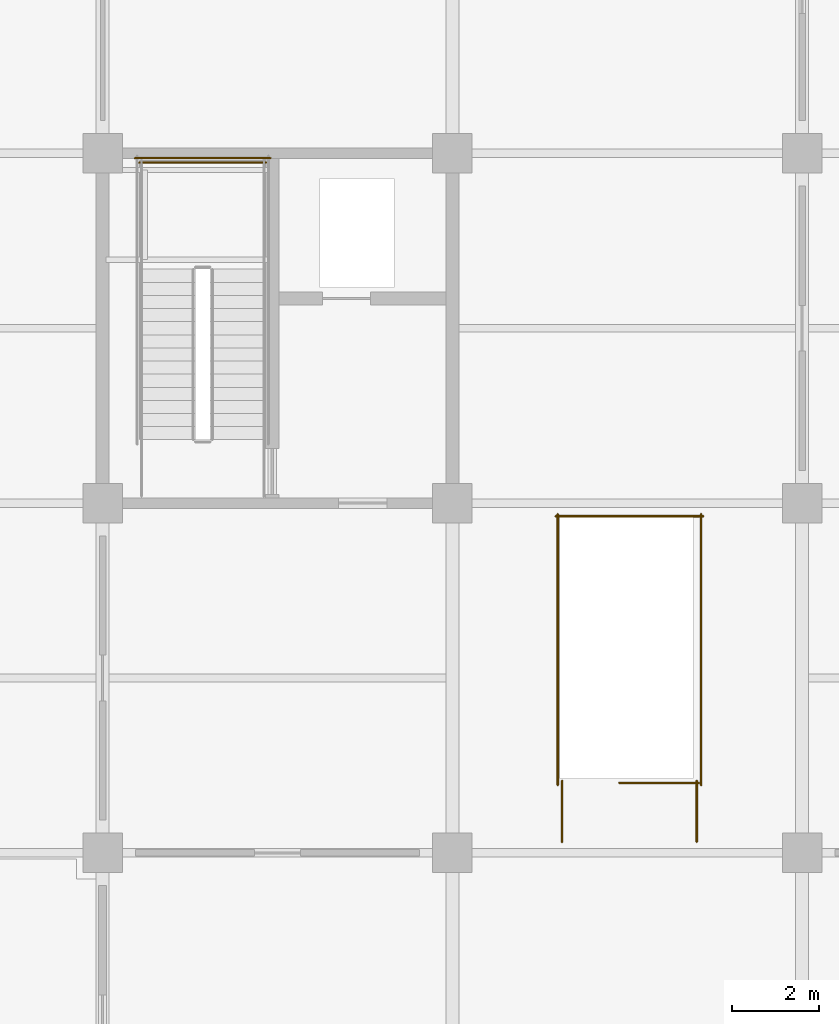
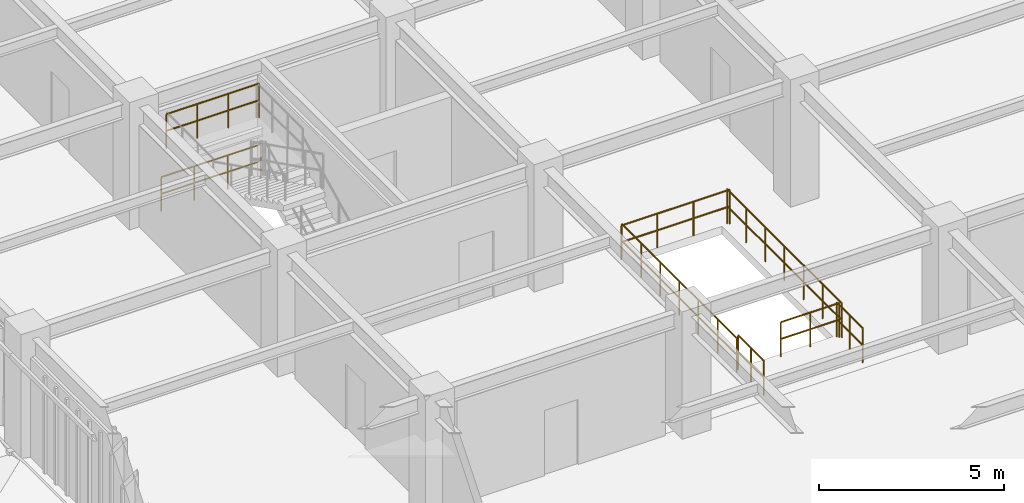
# One storey, part 110 of 118: 8 railings.
"""IFC4 building model written with IfcOpenShell, lengths in metres."""

from ifc_helpers import new_model, si_unit, direction, frame, origin, origin_2d, place, context, subcontext, project, spatial, circle, extrude, material, type_object, element, save


model = new_model("IFC4")

# Units and contexts
model_context = context("Model", 3, precision=1e-05, world=origin(), true_north=direction((0.0, 1.0)))
body_context = subcontext(model_context, "Body", "Model", "MODEL_VIEW")
ifc_project = project(units=[si_unit("LENGTHUNIT", "METRE"), si_unit("AREAUNIT", "SQUARE_METRE"), si_unit("VOLUMEUNIT", "CUBIC_METRE"), si_unit("PLANEANGLEUNIT", "RADIAN"), si_unit("MASSUNIT", "GRAM", prefix="KILO")], contexts=[model_context])

# Site, building, storey
site_placement = place(None, origin())
site = spatial("IfcSite", under=ifc_project, at=site_placement, CompositionType="ELEMENT")
building_placement = place(site_placement, origin())
building = spatial("IfcBuilding", under=site, at=building_placement, Name="Haebicheon Civic Stadium", CompositionType="ELEMENT")
storey_placement = place(building_placement, frame((0.0, 0.0, 14.39990234375)))
storey = spatial("IfcBuildingStorey", under=building, at=storey_placement, Name="L04", CompositionType="ELEMENT", Elevation=14.39990234375)

# Railings
ifc_material = material(Name="Galvanised painted steel SM355", Category="steel")
railing_type = type_object("IfcRailingType", Name="RL-GRD-1150", PredefinedType="GUARDRAIL", material=ifc_material)
railing_1_placement = place(storey_placement, frame((35.739990234375, 111.7900390625, 2.10009765625)))
element("IfcRailing", 1, at=railing_1_placement, inside=storey, type_object=railing_type, material=ifc_material, Name="L04 ST-04 stair guard 5", PredefinedType="GUARDRAIL", context=body_context, shape_type="SweptSolid", body=[
    extrude(circle(Radius=0.02392578125, at=origin_2d()), frame((0.0, 0.0, 1.1259765625), z_axis=(-1.0, 0.0, 0.0), x_axis=(0.0, -1.0, 0.0)), (0.0, 0.0, 1.0), 2.89990234375),
    extrude(circle(Radius=0.02392578125, at=origin_2d()), frame((0.0, 0.0, 0.574951171875), z_axis=(-1.0, 0.0, 0.0), x_axis=(0.0, -1.0, 0.0)), (0.0, 0.0, 1.0), 2.89990234375),
    extrude(circle(Radius=0.02099609375, at=origin_2d()), origin(), (0.0, 0.0, 1.0), 1.101806640625),
    extrude(circle(Radius=0.02099609375, at=origin_2d()), frame((-0.966552734375, 0.0, 0.0)), (0.0, 0.0, 1.0), 1.101806640625),
    extrude(circle(Radius=0.02099609375, at=origin_2d()), frame((-1.933349609375, 0.0, 0.0)), (0.0, 0.0, 1.0), 1.101806640625),
    extrude(circle(Radius=0.02099609375, at=origin_2d()), frame((-2.89990234375, 0.0, 0.0)), (0.0, 0.0, 1.0), 1.101806640625),
])
railing_2_placement = place(storey_placement, frame((35.840087890625, 111.889892578125, 0.0)))
element("IfcRailing", 2, at=railing_2_placement, inside=storey, type_object=railing_type, material=ifc_material, Name="L04 ST-04 stair guard 12", PredefinedType="GUARDRAIL", context=body_context, shape_type="SweptSolid", body=[
    extrude(circle(Radius=0.02392578125, at=origin_2d()), frame((0.0, 0.0, 1.1259765625), z_axis=(-1.0, 0.0, 0.0), x_axis=(0.0, -1.0, 0.0)), (0.0, 0.0, 1.0), 3.10009765625),
    extrude(circle(Radius=0.02392578125, at=origin_2d()), frame((0.0, 0.0, 0.574951171875), z_axis=(-1.0, 0.0, 0.0), x_axis=(0.0, -1.0, 0.0)), (0.0, 0.0, 1.0), 3.10009765625),
    extrude(circle(Radius=0.02099609375, at=origin_2d()), origin(), (0.0, 0.0, 1.0), 1.101806640625),
    extrude(circle(Radius=0.02099609375, at=origin_2d()), frame((-1.033447265625, 0.0, 0.0)), (0.0, 0.0, 1.0), 1.101806640625),
    extrude(circle(Radius=0.02099609375, at=origin_2d()), frame((-2.066650390625, 0.0, 0.0)), (0.0, 0.0, 1.0), 1.101806640625),
    extrude(circle(Radius=0.02099609375, at=origin_2d()), frame((-3.10009765625, 0.0, 0.0)), (0.0, 0.0, 1.0), 1.101806640625),
])
railing_3_placement = place(storey_placement, frame((45.639892578125, 97.60009765625, 0.0)))
element("IfcRailing", 3, at=railing_3_placement, inside=storey, type_object=railing_type, material=ifc_material, Name="L04 VM-05 top well guard 1", PredefinedType="GUARDRAIL", context=body_context, shape_type="SweptSolid", body=[
    extrude(circle(Radius=0.02392578125, at=origin_2d()), frame((0.0, 0.0, 1.1259765625), z_axis=(-1.0, 0.0, 0.0), x_axis=(0.0, -1.0, 0.0)), (0.0, 0.0, 1.0), 1.81982421875),
    extrude(circle(Radius=0.02392578125, at=origin_2d()), frame((0.0, 0.0, 0.574951171875), z_axis=(-1.0, 0.0, 0.0), x_axis=(0.0, -1.0, 0.0)), (0.0, 0.0, 1.0), 1.81982421875),
    extrude(circle(Radius=0.02099609375, at=origin_2d()), origin(), (0.0, 0.0, 1.0), 1.101806640625),
    extrude(circle(Radius=0.02099609375, at=origin_2d()), frame((-0.909912109375, 0.0, 0.0)), (0.0, 0.0, 1.0), 1.101806640625),
    extrude(circle(Radius=0.02099609375, at=origin_2d()), frame((-1.81982421875, 0.0, 0.0)), (0.0, 0.0, 1.0), 1.101806640625),
])
for number, where, name in (
    (4, (45.68994140625, 97.550048828125, 0.0), "L04 VM-05 top well guard 2"),
    (5, (42.409912109375, 97.550048828125, 0.0), "L04 VM-05 top well guard 3"),
):
    element("IfcRailing", number, at=place(storey_placement, frame(where)), inside=storey, type_object=railing_type, material=ifc_material, Name=name, PredefinedType="GUARDRAIL", context=body_context, shape_type="SweptSolid", body=[
        extrude(circle(Radius=0.02392578125, at=origin_2d()), frame((0.0, 0.0, 1.1259765625), z_axis=(0.0, 1.0, 0.0), x_axis=(-1.0, 0.0, 0.0)), (0.0, 0.0, 1.0), 6.199951171875),
        extrude(circle(Radius=0.02392578125, at=origin_2d()), frame((0.0, 0.0, 0.574951171875), z_axis=(0.0, 1.0, 0.0), x_axis=(-1.0, 0.0, 0.0)), (0.0, 0.0, 1.0), 6.199951171875),
        extrude(circle(Radius=0.02099609375, at=origin_2d()), origin(), (0.0, 0.0, 1.0), 1.101806640625),
        extrude(circle(Radius=0.02099609375, at=origin_2d()), frame((0.0, 1.033203125, 0.0)), (0.0, 0.0, 1.0), 1.101806640625),
        extrude(circle(Radius=0.02099609375, at=origin_2d()), frame((0.0, 2.066650390625, 0.0)), (0.0, 0.0, 1.0), 1.101806640625),
        extrude(circle(Radius=0.02099609375, at=origin_2d()), frame((0.0, 3.10009765625, 0.0)), (0.0, 0.0, 1.0), 1.101806640625),
        extrude(circle(Radius=0.02099609375, at=origin_2d()), frame((0.0, 4.13330078125, 0.0)), (0.0, 0.0, 1.0), 1.101806640625),
        extrude(circle(Radius=0.02099609375, at=origin_2d()), frame((0.0, 5.16650390625, 0.0)), (0.0, 0.0, 1.0), 1.101806640625),
        extrude(circle(Radius=0.02099609375, at=origin_2d()), frame((0.0, 6.199951171875, 0.0)), (0.0, 0.0, 1.0), 1.101806640625),
    ])
railing_4_placement = place(storey_placement, frame((45.739990234375, 103.699951171875, 0.0)))
element("IfcRailing", 6, at=railing_4_placement, inside=storey, type_object=railing_type, material=ifc_material, Name="L04 VM-05 top well guard 4", PredefinedType="GUARDRAIL", context=body_context, shape_type="SweptSolid", body=[
    extrude(circle(Radius=0.02392578125, at=origin_2d()), frame((0.0, 0.0, 1.1259765625), z_axis=(-1.0, 0.0, 0.0), x_axis=(0.0, -1.0, 0.0)), (0.0, 0.0, 1.0), 3.3798828125),
    extrude(circle(Radius=0.02392578125, at=origin_2d()), frame((0.0, 0.0, 0.574951171875), z_axis=(-1.0, 0.0, 0.0), x_axis=(0.0, -1.0, 0.0)), (0.0, 0.0, 1.0), 3.3798828125),
    extrude(circle(Radius=0.02099609375, at=origin_2d()), origin(), (0.0, 0.0, 1.0), 1.101806640625),
    extrude(circle(Radius=0.02099609375, at=origin_2d()), frame((-1.126708984375, 0.0, 0.0)), (0.0, 0.0, 1.0), 1.101806640625),
    extrude(circle(Radius=0.02099609375, at=origin_2d()), frame((-2.253173828125, 0.0, 0.0)), (0.0, 0.0, 1.0), 1.101806640625),
    extrude(circle(Radius=0.02099609375, at=origin_2d()), frame((-3.3798828125, 0.0, 0.0)), (0.0, 0.0, 1.0), 1.101806640625),
])
for number, where, name in (
    (7, (45.590087890625, 96.25, 0.0), "L04 VM-05 top well guard 5"),
    (8, (42.510009765625, 96.25, 0.0), "L04 VM-05 top well guard 6"),
):
    element("IfcRailing", number, at=place(storey_placement, frame(where)), inside=storey, type_object=railing_type, material=ifc_material, Name=name, PredefinedType="GUARDRAIL", context=body_context, shape_type="SweptSolid", body=[
        extrude(circle(Radius=0.02392578125, at=origin_2d()), frame((0.0, 0.0, 1.1259765625), z_axis=(0.0, 1.0, 0.0), x_axis=(-1.0, 0.0, 0.0)), (0.0, 0.0, 1.0), 1.39990234375),
        extrude(circle(Radius=0.02392578125, at=origin_2d()), frame((0.0, 0.0, 0.574951171875), z_axis=(0.0, 1.0, 0.0), x_axis=(-1.0, 0.0, 0.0)), (0.0, 0.0, 1.0), 1.39990234375),
        extrude(circle(Radius=0.02099609375, at=origin_2d()), origin(), (0.0, 0.0, 1.0), 1.101806640625),
        extrude(circle(Radius=0.02099609375, at=origin_2d()), frame((0.0, 0.699951171875, 0.0)), (0.0, 0.0, 1.0), 1.101806640625),
        extrude(circle(Radius=0.02099609375, at=origin_2d()), frame((0.0, 1.39990234375, 0.0)), (0.0, 0.0, 1.0), 1.101806640625),
    ])

save(model, "model.ifc")
